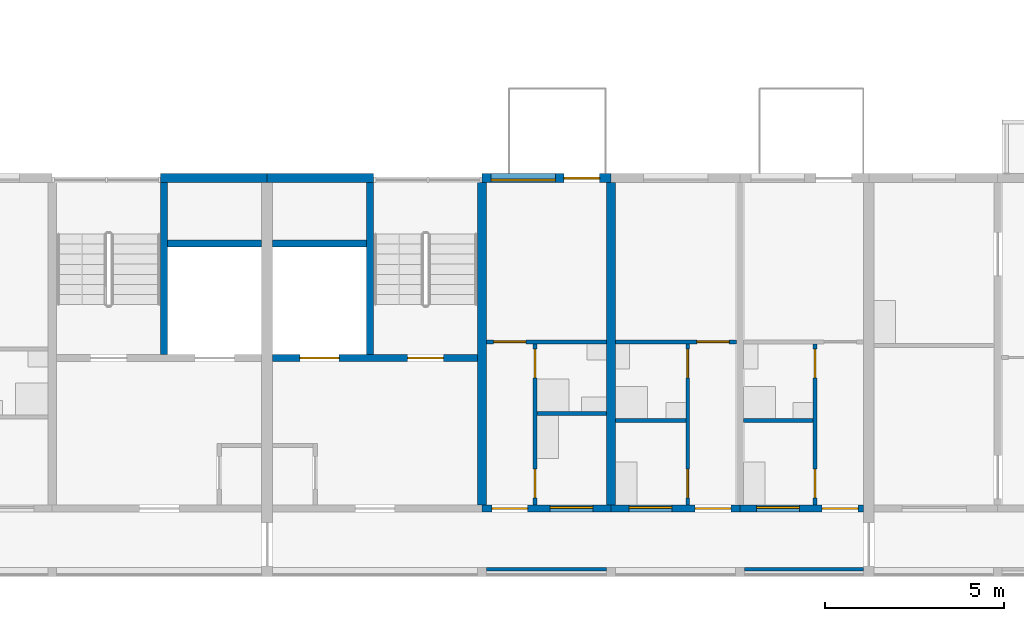
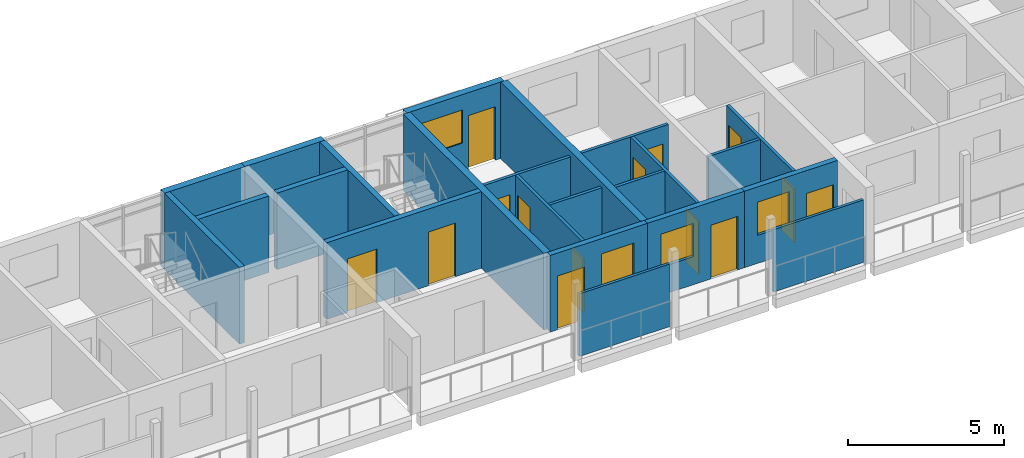
# One storey, part 45 of 99: 23 walls, 14 doors, 4 windows, 18 openings.
"""IFC4 building model written with IfcOpenShell, lengths in metres."""

from ifc_helpers import new_model, si_unit, direction, frame, frame_2d, origin, place, context, subcontext, project, spatial, rectangle, extrude, material, layer, layer_set, type_object, element, fill, save


model = new_model("IFC4")

# Units and contexts
model_context = context("Model", 3, precision=1e-05, world=origin(), true_north=direction((0.0, 1.0)))
body_context = subcontext(model_context, "Body", "Model", "MODEL_VIEW")
ifc_project = project(units=[si_unit("LENGTHUNIT", "METRE"), si_unit("AREAUNIT", "SQUARE_METRE"), si_unit("VOLUMEUNIT", "CUBIC_METRE"), si_unit("PLANEANGLEUNIT", "RADIAN"), si_unit("MASSUNIT", "GRAM", prefix="KILO")], contexts=[model_context])

# Site, building, storey
site_placement = place(None, origin())
site = spatial("IfcSite", under=ifc_project, at=site_placement, CompositionType="ELEMENT")
building_placement = place(site_placement, origin())
building = spatial("IfcBuilding", under=site, at=building_placement, Name="Ridgestep Commons", CompositionType="ELEMENT")
storey_placement = place(building_placement, frame((0.0, 0.0, 15.0)))
storey = spatial("IfcBuildingStorey", under=building, at=storey_placement, Name="L05", CompositionType="ELEMENT", Elevation=15.0)

# Walls
ifc_material_1 = material(Name="Concrete C30/37", Category="concrete")
ifc_layer_1 = layer(ifc_material_1, 0.25)
ifc_layer_set_1 = layer_set([ifc_layer_1], Name="Core cross wall 250")
wall_type_1 = type_object("IfcWallType", Name="Core cross wall 250", PredefinedType="SHEAR", material=ifc_layer_set_1)
wall_1_placement = place(storey_placement, frame((169.60009765625, 13.75, 0.0), z_axis=(0.0, 0.0, 1.0), x_axis=(0.0, 1.0, 0.0)))
element("IfcWall", 1, at=wall_1_placement, inside=storey, type_object=wall_type_1, Name="Cross wall D-05-1696", PredefinedType="SHEAR", context=body_context, shape_type="SweptSolid", body=[
    extrude(rectangle(XDim=9.0, YDim=0.25, at=frame_2d((4.5, 0.0))), origin(), (0.0, 0.0, 1.0), 3.0),
])
ifc_material_2 = material(Name="Concrete C30/37", Category="concrete")
ifc_layer_2 = layer(ifc_material_2, 0.199951171875)
ifc_layer_set_2 = layer_set([ifc_layer_2], Name="Core wall 200")
wall_type_2 = type_object("IfcWallType", Name="Core wall 200", PredefinedType="SHEAR", material=ifc_layer_set_2)
wall_2_placement = place(storey_placement, frame((160.72509765625, 17.949951171875, 0.0), z_axis=(0.0, 0.0, 1.0), x_axis=(0.0, 1.0, 0.0)))
element("IfcWall", 2, at=wall_2_placement, inside=storey, type_object=wall_type_2, Name="Core stair wall D1C L05", PredefinedType="SHEAR", context=body_context, shape_type="SweptSolid", body=[
    extrude(rectangle(XDim=4.800048828125, YDim=0.199951171875, at=frame_2d((2.39990234375, 0.0))), origin(), (0.0, 0.0, 1.0), 3.0),
])
wall_3_placement = place(storey_placement, frame((160.824951171875, 21.050048828125, 0.0), z_axis=(0.0, 0.0, 1.0), x_axis=(1.0, 0.0, 0.0)))
element("IfcWall", 3, at=wall_3_placement, inside=storey, type_object=wall_type_2, Name="Core duct wall D1C L05", PredefinedType="SHEAR", context=body_context, shape_type="SweptSolid", body=[
    extrude(rectangle(XDim=2.625, YDim=0.199951171875, at=frame_2d((1.3125, 0.0))), origin(), (0.0, 0.0, 1.0), 3.0),
])

# Wall, openings, doors
wall_4_placement = place(storey_placement, frame((163.75, 17.85009765625, 0.0), z_axis=(0.0, 0.0, 1.0), x_axis=(1.0, 0.0, 0.0)))
wall_4 = element("IfcWall", 4, at=wall_4_placement, inside=storey, type_object=wall_type_2, Name="Core lobby wall D2C L05", PredefinedType="SHEAR", context=body_context, shape_type="SweptSolid", body=[
    extrude(rectangle(XDim=5.72509765625, YDim=0.199951171875, at=frame_2d((2.862548828125, 0.0))), origin(), (0.0, 0.0, 1.0), 3.0),
])
opening_1_placement = place(wall_4_placement, frame((3.77490234375, 0.0, 0.0)))
opening_1 = element("IfcOpeningElement", 5, at=opening_1_placement, cuts=wall_4, Name="Opening D2C/05/2", PredefinedType="OPENING", context=body_context, shape_type="SweptSolid", body=[
    extrude(rectangle(XDim=1.0, YDim=2.10009765625, at=frame_2d((0.5, 1.050048828125))), frame((0.0, 0.10986328125, 0.0), z_axis=(0.0, -1.0, 0.0), x_axis=(1.0, 0.0, 0.0)), (0.0, 0.0, 1.0), 0.219970703125),
])
opening_2_placement = place(wall_4_placement, frame((0.762451171875, 0.0, 0.0)))
opening_2 = element("IfcOpeningElement", 6, at=opening_2_placement, cuts=wall_4, Name="Opening D2C/05/3", PredefinedType="OPENING", context=body_context, shape_type="SweptSolid", body=[
    extrude(rectangle(XDim=1.10009765625, YDim=2.10009765625, at=frame_2d((0.550048828125, 1.050048828125))), frame((0.0, 0.10986328125, 0.0), z_axis=(0.0, -1.0, 0.0), x_axis=(1.0, 0.0, 0.0)), (0.0, 0.0, 1.0), 0.219970703125),
])
ifc_material_3 = material(Name="Stainless steel", Category="steel")
door_type_1 = type_object("IfcDoorType", Name="Lift landing door 1100 x 2100 FD60", OperationType="DOUBLE_DOOR_SLIDING", PredefinedType="DOOR", material=ifc_material_3)
door_1_placement = place(opening_2_placement, origin())
door_1 = element("IfcDoor", 7, at=door_1_placement, inside=storey, type_object=door_type_1, Name="Landing door LD D2C L05", OperationType="DOUBLE_DOOR_SLIDING", OverallHeight=2.10009765625, OverallWidth=1.10009765625, PredefinedType="DOOR", context=body_context, shape_type="SweptSolid", body=[
    extrude(rectangle(XDim=1.10009765625, YDim=2.10009765625, at=frame_2d((0.550048828125, 1.050048828125))), frame((0.0, 0.02490234375, 0.0), z_axis=(0.0, -1.0, 0.0), x_axis=(1.0, 0.0, 0.0)), (0.0, 0.0, 1.0), 0.050048828125),
])
fill(opening_2, door_1)
ifc_material_4 = material(Name="Steel fire door", Category="steel")
door_type_2 = type_object("IfcDoorType", Name="Stair door 1000 x 2100 FD60", OperationType="NOTDEFINED", PredefinedType="DOOR", material=ifc_material_4)
door_2_placement = place(opening_1_placement, origin())
door_2 = element("IfcDoor", 8, at=door_2_placement, inside=storey, type_object=door_type_2, Name="Stair door D2C/05/2", OperationType="SINGLE_SWING_RIGHT", OverallHeight=2.10009765625, OverallWidth=1.0, PredefinedType="DOOR", context=body_context, shape_type="SweptSolid", body=[
    extrude(rectangle(XDim=1.0, YDim=2.10009765625, at=frame_2d((0.5, 1.050048828125))), frame((0.0, 0.02490234375, 0.0), z_axis=(0.0, -1.0, 0.0), x_axis=(1.0, 0.0, 0.0)), (0.0, 0.0, 1.0), 0.050048828125),
])
fill(opening_1, door_2)

# Walls
wall_5_placement = place(storey_placement, frame((166.47509765625, 17.949951171875, 0.0), z_axis=(0.0, 0.0, 1.0), x_axis=(0.0, 1.0, 0.0)))
element("IfcWall", 9, at=wall_5_placement, inside=storey, type_object=wall_type_2, Name="Core stair wall D2C L05", PredefinedType="SHEAR", context=body_context, shape_type="SweptSolid", body=[
    extrude(rectangle(XDim=4.800048828125, YDim=0.199951171875, at=frame_2d((2.39990234375, 0.0))), origin(), (0.0, 0.0, 1.0), 3.0),
])
wall_6_placement = place(storey_placement, frame((163.75, 21.050048828125, 0.0), z_axis=(0.0, 0.0, 1.0), x_axis=(1.0, 0.0, 0.0)))
element("IfcWall", 10, at=wall_6_placement, inside=storey, type_object=wall_type_2, Name="Core duct wall D2C L05", PredefinedType="SHEAR", context=body_context, shape_type="SweptSolid", body=[
    extrude(rectangle(XDim=2.625, YDim=0.199951171875, at=frame_2d((1.3125, 0.0))), origin(), (0.0, 0.0, 1.0), 3.0),
])
ifc_material_5 = material(Name="Precast concrete C40/50", Category="concrete")
ifc_layer_3 = layer(ifc_material_5, 0.25)
ifc_layer_set_3 = layer_set([ifc_layer_3], Name="Cross wall 250")
wall_type_3 = type_object("IfcWallType", Name="Cross wall 250", PredefinedType="SHEAR", material=ifc_layer_set_3)
wall_7_placement = place(storey_placement, frame((173.199951171875, 13.75, 0.0), z_axis=(0.0, 0.0, 1.0), x_axis=(0.0, 1.0, 0.0)))
element("IfcWall", 11, at=wall_7_placement, inside=storey, type_object=wall_type_3, Name="Cross wall D-05-1732", PredefinedType="SHEAR", context=body_context, shape_type="SweptSolid", body=[
    extrude(rectangle(XDim=9.0, YDim=0.25, at=frame_2d((4.5, 0.0))), origin(), (0.0, 0.0, 1.0), 3.0),
])
ifc_material_6 = material(Name="Precast concrete C40/50", Category="concrete")
ifc_layer_4 = layer(ifc_material_6, 0.25)
ifc_layer_set_4 = layer_set([ifc_layer_4], Name="North facade panel 250")
wall_type_4 = type_object("IfcWallType", Name="North facade panel 250", PredefinedType="SOLIDWALL", material=ifc_layer_set_4)
wall_8_placement = place(storey_placement, frame((160.625, 22.875, 0.0), z_axis=(0.0, 0.0, 1.0), x_axis=(1.0, 0.0, 0.0)))
element("IfcWall", 12, at=wall_8_placement, inside=storey, type_object=wall_type_4, Name="North panel D1C L05", PredefinedType="SOLIDWALL", context=body_context, shape_type="SweptSolid", body=[
    extrude(rectangle(XDim=2.97509765625, YDim=0.25, at=frame_2d((1.487548828125, 0.0))), origin(), (0.0, 0.0, 1.0), 3.0),
])
wall_9_placement = place(storey_placement, frame((163.60009765625, 22.875, 0.0), z_axis=(0.0, 0.0, 1.0), x_axis=(1.0, 0.0, 0.0)))
element("IfcWall", 13, at=wall_9_placement, inside=storey, type_object=wall_type_4, Name="North panel D2C L05", PredefinedType="SOLIDWALL", context=body_context, shape_type="SweptSolid", body=[
    extrude(rectangle(XDim=2.974853515625, YDim=0.25, at=frame_2d((1.4873046875, 0.0))), origin(), (0.0, 0.0, 1.0), 3.0),
])

# Wall, openings, door, window
wall_10_placement = place(storey_placement, frame((169.60009765625, 22.875, 0.0), z_axis=(0.0, 0.0, 1.0), x_axis=(1.0, 0.0, 0.0)))
wall_10 = element("IfcWall", 14, at=wall_10_placement, inside=storey, type_object=wall_type_4, Name="North panel D2T3 L05", PredefinedType="SOLIDWALL", context=body_context, shape_type="SweptSolid", body=[
    extrude(rectangle(XDim=3.599853515625, YDim=0.25, at=frame_2d((1.7998046875, 0.0))), origin(), (0.0, 0.0, 1.0), 3.0),
])
opening_3_placement = place(wall_10_placement, frame((0.255615234375, 0.0, 1.10009765625)))
opening_3 = element("IfcOpeningElement", 15, at=opening_3_placement, cuts=wall_10, Name="Opening W18", PredefinedType="OPENING", context=body_context, shape_type="SweptSolid", body=[
    extrude(rectangle(XDim=1.800048828125, YDim=1.300048828125, at=frame_2d((0.89990234375, 0.64990234375))), frame((0.0, 0.135009765625, 0.0), z_axis=(0.0, -1.0, 0.0), x_axis=(1.0, 0.0, 0.0)), (0.0, 0.0, 1.0), 0.27001953125),
])
opening_4_placement = place(wall_10_placement, frame((2.285888671875, 0.0, 0.0)))
opening_4 = element("IfcOpeningElement", 16, at=opening_4_placement, cuts=wall_10, Name="Opening D2-05c/5", PredefinedType="OPENING", context=body_context, shape_type="SweptSolid", body=[
    extrude(rectangle(XDim=1.0, YDim=2.10009765625, at=frame_2d((0.5, 1.050048828125))), frame((0.0, 0.135009765625, 0.0), z_axis=(0.0, -1.0, 0.0), x_axis=(1.0, 0.0, 0.0)), (0.0, 0.0, 1.0), 0.27001953125),
])
ifc_material_7 = material(Name="Aluminium and glass", Category="aluminium")
door_type_3 = type_object("IfcDoorType", Name="Balcony door 1000 x 2100", OperationType="NOTDEFINED", PredefinedType="DOOR", material=ifc_material_7)
door_3_placement = place(opening_4_placement, origin())
door_3 = element("IfcDoor", 17, at=door_3_placement, inside=storey, type_object=door_type_3, Name="Balcony door D2-05c/5", OperationType="SINGLE_SWING_LEFT", OverallHeight=2.10009765625, OverallWidth=1.0, PredefinedType="DOOR", context=body_context, shape_type="SweptSolid", body=[
    extrude(rectangle(XDim=1.0, YDim=2.10009765625, at=frame_2d((0.5, 1.050048828125))), frame((0.0, 0.02490234375, 0.0), z_axis=(0.0, -1.0, 0.0), x_axis=(1.0, 0.0, 0.0)), (0.0, 0.0, 1.0), 0.050048828125),
])
fill(opening_4, door_3)
ifc_material_8 = material(Name="Aluminium 6063-T6 and glass", Category="aluminium")
window_type_1 = type_object("IfcWindowType", Name="Flat window 1800 x 1300", PartitioningType="DOUBLE_PANEL_VERTICAL", PredefinedType="WINDOW", material=ifc_material_8)
window_1_placement = place(opening_3_placement, origin())
window_1 = element("IfcWindow", 18, at=window_1_placement, inside=storey, type_object=window_type_1, Name="Window D2-05c 2", OverallHeight=1.300048828125, OverallWidth=1.800048828125, PartitioningType="SINGLE_PANEL", PredefinedType="WINDOW", context=body_context, shape_type="SweptSolid", body=[
    extrude(rectangle(XDim=1.800048828125, YDim=1.300048828125, at=frame_2d((0.89990234375, 0.64990234375))), frame((0.0, -0.02490234375, 0.0), z_axis=(0.0, -1.0, 0.0), x_axis=(1.0, 0.0, 0.0)), (0.0, 0.0, 1.0), 0.06005859375),
])
fill(opening_3, window_1)

# Wall
ifc_material_9 = material(Name="Common brick 110 mm", Category="masonry")
ifc_layer_5 = layer(ifc_material_9, 0.110107421875)
ifc_layer_set_5 = layer_set([ifc_layer_5], Name="Partition 110")
wall_type_5 = type_object("IfcWallType", Name="Partition 110", PredefinedType="PARTITIONING", material=ifc_layer_set_5)
wall_11_placement = place(storey_placement, frame((176.89990234375, 16.10498046875, 0.0), z_axis=(0.0, 0.0, 1.0), x_axis=(1.0, 0.0, 0.0)))
element("IfcWall", 19, at=wall_11_placement, inside=storey, type_object=wall_type_5, Name="Partition D2-05a", PredefinedType="PARTITIONING", context=body_context, shape_type="SweptSolid", body=[
    extrude(rectangle(XDim=1.940185546875, YDim=0.110107421875, at=frame_2d((0.97021484375, 0.0))), origin(), (0.0, 0.0, 1.0), 2.800048828125),
])

# Wall, openings, doors
wall_12_placement = place(storey_placement, frame((178.89501953125, 13.75, 0.0), z_axis=(0.0, 0.0, 1.0), x_axis=(0.0, 1.0, 0.0)))
wall_12 = element("IfcWall", 20, at=wall_12_placement, inside=storey, type_object=wall_type_5, Name="Partition D2-05a", PredefinedType="PARTITIONING", context=body_context, shape_type="SweptSolid", body=[
    extrude(rectangle(XDim=4.5, YDim=0.110107421875, at=frame_2d((2.25, 0.0))), origin(), (0.0, 0.0, 1.0), 2.800048828125),
])
opening_5_placement = place(wall_12_placement, frame((0.199951171875, 0.0, 0.0)))
opening_5 = element("IfcOpeningElement", 21, at=opening_5_placement, cuts=wall_12, Name="Opening D2-05a/2", PredefinedType="OPENING", context=body_context, shape_type="SweptSolid", body=[
    extrude(rectangle(XDim=0.800048828125, YDim=2.10009765625, at=frame_2d((0.39990234375, 1.050048828125))), frame((0.0, 0.06494140625, 0.0), z_axis=(0.0, -1.0, 0.0), x_axis=(1.0, 0.0, 0.0)), (0.0, 0.0, 1.0), 0.130126953125),
])
opening_6_placement = place(wall_12_placement, frame((3.550048828125, 0.0, 0.0)))
opening_6 = element("IfcOpeningElement", 22, at=opening_6_placement, cuts=wall_12, Name="Opening D2-05a/3", PredefinedType="OPENING", context=body_context, shape_type="SweptSolid", body=[
    extrude(rectangle(XDim=0.800048828125, YDim=2.10009765625, at=frame_2d((0.39990234375, 1.050048828125))), frame((0.0, 0.06494140625, 0.0), z_axis=(0.0, -1.0, 0.0), x_axis=(1.0, 0.0, 0.0)), (0.0, 0.0, 1.0), 0.130126953125),
])
ifc_material_10 = material(Name="Timber door leaf", Category="wood")
door_type_4 = type_object("IfcDoorType", Name="Internal door 800 x 2100", OperationType="NOTDEFINED", PredefinedType="DOOR", material=ifc_material_10)
door_4_placement = place(opening_5_placement, origin())
door_4 = element("IfcDoor", 23, at=door_4_placement, inside=storey, type_object=door_type_4, Name="Internal door D2-05a/2", OperationType="SINGLE_SWING_LEFT", OverallHeight=2.10009765625, OverallWidth=0.800048828125, PredefinedType="DOOR", context=body_context, shape_type="SweptSolid", body=[
    extrude(rectangle(XDim=0.800048828125, YDim=2.10009765625, at=frame_2d((0.39990234375, 1.050048828125))), frame((0.0, 0.02490234375, 0.0), z_axis=(0.0, -1.0, 0.0), x_axis=(1.0, 0.0, 0.0)), (0.0, 0.0, 1.0), 0.050048828125),
])
fill(opening_5, door_4)
door_5_placement = place(opening_6_placement, origin())
door_5 = element("IfcDoor", 24, at=door_5_placement, inside=storey, type_object=door_type_4, Name="Internal door D2-05a/3", OperationType="SINGLE_SWING_RIGHT", OverallHeight=2.10009765625, OverallWidth=0.800048828125, PredefinedType="DOOR", context=body_context, shape_type="SweptSolid", body=[
    extrude(rectangle(XDim=0.800048828125, YDim=2.10009765625, at=frame_2d((0.39990234375, 1.050048828125))), frame((0.0, 0.02490234375, 0.0), z_axis=(0.0, -1.0, 0.0), x_axis=(1.0, 0.0, 0.0)), (0.0, 0.0, 1.0), 0.050048828125),
])
fill(opening_6, door_5)

# Wall
wall_13_placement = place(storey_placement, frame((173.324951171875, 16.10498046875, 0.0), z_axis=(0.0, 0.0, 1.0), x_axis=(1.0, 0.0, 0.0)))
element("IfcWall", 25, at=wall_13_placement, inside=storey, type_object=wall_type_5, Name="Partition D2-05b", PredefinedType="PARTITIONING", context=body_context, shape_type="SweptSolid", body=[
    extrude(rectangle(XDim=1.965087890625, YDim=0.110107421875, at=frame_2d((0.982421875, 0.0))), origin(), (0.0, 0.0, 1.0), 2.800048828125),
])

# Wall, openings, doors
wall_14_placement = place(storey_placement, frame((175.344970703125, 13.75, 0.0), z_axis=(0.0, 0.0, 1.0), x_axis=(0.0, 1.0, 0.0)))
wall_14 = element("IfcWall", 26, at=wall_14_placement, inside=storey, type_object=wall_type_5, Name="Partition D2-05b", PredefinedType="PARTITIONING", context=body_context, shape_type="SweptSolid", body=[
    extrude(rectangle(XDim=4.5, YDim=0.110107421875, at=frame_2d((2.25, 0.0))), origin(), (0.0, 0.0, 1.0), 2.800048828125),
])
opening_7_placement = place(wall_14_placement, frame((0.199951171875, 0.0, 0.0)))
opening_7 = element("IfcOpeningElement", 27, at=opening_7_placement, cuts=wall_14, Name="Opening D2-05b/2", PredefinedType="OPENING", context=body_context, shape_type="SweptSolid", body=[
    extrude(rectangle(XDim=0.800048828125, YDim=2.10009765625, at=frame_2d((0.39990234375, 1.050048828125))), frame((0.0, 0.06494140625, 0.0), z_axis=(0.0, -1.0, 0.0), x_axis=(1.0, 0.0, 0.0)), (0.0, 0.0, 1.0), 0.130126953125),
])
opening_8_placement = place(wall_14_placement, frame((3.550048828125, 0.0, 0.0)))
opening_8 = element("IfcOpeningElement", 28, at=opening_8_placement, cuts=wall_14, Name="Opening D2-05b/3", PredefinedType="OPENING", context=body_context, shape_type="SweptSolid", body=[
    extrude(rectangle(XDim=0.800048828125, YDim=2.10009765625, at=frame_2d((0.39990234375, 1.050048828125))), frame((0.0, 0.06494140625, 0.0), z_axis=(0.0, -1.0, 0.0), x_axis=(1.0, 0.0, 0.0)), (0.0, 0.0, 1.0), 0.130126953125),
])
door_6_placement = place(opening_7_placement, origin())
door_6 = element("IfcDoor", 29, at=door_6_placement, inside=storey, type_object=door_type_4, Name="Internal door D2-05b/2", OperationType="SINGLE_SWING_LEFT", OverallHeight=2.10009765625, OverallWidth=0.800048828125, PredefinedType="DOOR", context=body_context, shape_type="SweptSolid", body=[
    extrude(rectangle(XDim=0.800048828125, YDim=2.10009765625, at=frame_2d((0.39990234375, 1.050048828125))), frame((0.0, 0.02490234375, 0.0), z_axis=(0.0, -1.0, 0.0), x_axis=(1.0, 0.0, 0.0)), (0.0, 0.0, 1.0), 0.050048828125),
])
fill(opening_7, door_6)
door_7_placement = place(opening_8_placement, origin())
door_7 = element("IfcDoor", 30, at=door_7_placement, inside=storey, type_object=door_type_4, Name="Internal door D2-05b/3", OperationType="SINGLE_SWING_RIGHT", OverallHeight=2.10009765625, OverallWidth=0.800048828125, PredefinedType="DOOR", context=body_context, shape_type="SweptSolid", body=[
    extrude(rectangle(XDim=0.800048828125, YDim=2.10009765625, at=frame_2d((0.39990234375, 1.050048828125))), frame((0.0, 0.02490234375, 0.0), z_axis=(0.0, -1.0, 0.0), x_axis=(1.0, 0.0, 0.0)), (0.0, 0.0, 1.0), 0.050048828125),
])
fill(opening_8, door_7)

# Wall, opening, door
wall_15_placement = place(storey_placement, frame((173.324951171875, 18.304931640625, 0.0), z_axis=(0.0, 0.0, 1.0), x_axis=(1.0, 0.0, 0.0)))
wall_15 = element("IfcWall", 31, at=wall_15_placement, inside=storey, type_object=wall_type_5, Name="Partition D2-05b", PredefinedType="PARTITIONING", context=body_context, shape_type="SweptSolid", body=[
    extrude(rectangle(XDim=3.375, YDim=0.110107421875, at=frame_2d((1.6875, 0.0))), origin(), (0.0, 0.0, 1.0), 2.800048828125),
])
opening_9_placement = place(wall_15_placement, frame((2.27490234375, 0.0, 0.0)))
opening_9 = element("IfcOpeningElement", 32, at=opening_9_placement, cuts=wall_15, Name="Opening D2-05b/4", PredefinedType="OPENING", context=body_context, shape_type="SweptSolid", body=[
    extrude(rectangle(XDim=0.89990234375, YDim=2.10009765625, at=frame_2d((0.449951171875, 1.050048828125))), frame((0.0, 0.06494140625, 0.0), z_axis=(0.0, -1.0, 0.0), x_axis=(1.0, 0.0, 0.0)), (0.0, 0.0, 1.0), 0.130126953125),
])
ifc_material_11 = material(Name="Timber door leaf", Category="wood")
door_type_5 = type_object("IfcDoorType", Name="Internal door 900 x 2100", OperationType="NOTDEFINED", PredefinedType="DOOR", material=ifc_material_11)
door_8_placement = place(opening_9_placement, origin())
door_8 = element("IfcDoor", 33, at=door_8_placement, inside=storey, type_object=door_type_5, Name="Internal door D2-05b/4", OperationType="SINGLE_SWING_LEFT", OverallHeight=2.10009765625, OverallWidth=0.89990234375, PredefinedType="DOOR", context=body_context, shape_type="SweptSolid", body=[
    extrude(rectangle(XDim=0.89990234375, YDim=2.10009765625, at=frame_2d((0.449951171875, 1.050048828125))), frame((0.0, 0.02490234375, 0.0), z_axis=(0.0, -1.0, 0.0), x_axis=(1.0, 0.0, 0.0)), (0.0, 0.0, 1.0), 0.050048828125),
])
fill(opening_9, door_8)

# Wall, openings, doors
wall_16_placement = place(storey_placement, frame((171.080078125, 13.75, 0.0), z_axis=(0.0, 0.0, 1.0), x_axis=(0.0, 1.0, 0.0)))
wall_16 = element("IfcWall", 34, at=wall_16_placement, inside=storey, type_object=wall_type_5, Name="Partition D2-05c", PredefinedType="PARTITIONING", context=body_context, shape_type="SweptSolid", body=[
    extrude(rectangle(XDim=4.5, YDim=0.110107421875, at=frame_2d((2.25, 0.0))), origin(), (0.0, 0.0, 1.0), 2.800048828125),
])
opening_10_placement = place(wall_16_placement, frame((0.199951171875, 0.0, 0.0)))
opening_10 = element("IfcOpeningElement", 35, at=opening_10_placement, cuts=wall_16, Name="Opening D2-05c/2", PredefinedType="OPENING", context=body_context, shape_type="SweptSolid", body=[
    extrude(rectangle(XDim=0.800048828125, YDim=2.10009765625, at=frame_2d((0.39990234375, 1.050048828125))), frame((0.0, 0.06494140625, 0.0), z_axis=(0.0, -1.0, 0.0), x_axis=(1.0, 0.0, 0.0)), (0.0, 0.0, 1.0), 0.130126953125),
])
opening_11_placement = place(wall_16_placement, frame((3.550048828125, 0.0, 0.0)))
opening_11 = element("IfcOpeningElement", 36, at=opening_11_placement, cuts=wall_16, Name="Opening D2-05c/3", PredefinedType="OPENING", context=body_context, shape_type="SweptSolid", body=[
    extrude(rectangle(XDim=0.800048828125, YDim=2.10009765625, at=frame_2d((0.39990234375, 1.050048828125))), frame((0.0, 0.06494140625, 0.0), z_axis=(0.0, -1.0, 0.0), x_axis=(1.0, 0.0, 0.0)), (0.0, 0.0, 1.0), 0.130126953125),
])
door_9_placement = place(opening_10_placement, origin())
door_9 = element("IfcDoor", 37, at=door_9_placement, inside=storey, type_object=door_type_4, Name="Internal door D2-05c/2", OperationType="SINGLE_SWING_RIGHT", OverallHeight=2.10009765625, OverallWidth=0.800048828125, PredefinedType="DOOR", context=body_context, shape_type="SweptSolid", body=[
    extrude(rectangle(XDim=0.800048828125, YDim=2.10009765625, at=frame_2d((0.39990234375, 1.050048828125))), frame((0.0, 0.02490234375, 0.0), z_axis=(0.0, -1.0, 0.0), x_axis=(1.0, 0.0, 0.0)), (0.0, 0.0, 1.0), 0.050048828125),
])
fill(opening_10, door_9)
door_10_placement = place(opening_11_placement, origin())
door_10 = element("IfcDoor", 38, at=door_10_placement, inside=storey, type_object=door_type_4, Name="Internal door D2-05c/3", OperationType="SINGLE_SWING_LEFT", OverallHeight=2.10009765625, OverallWidth=0.800048828125, PredefinedType="DOOR", context=body_context, shape_type="SweptSolid", body=[
    extrude(rectangle(XDim=0.800048828125, YDim=2.10009765625, at=frame_2d((0.39990234375, 1.050048828125))), frame((0.0, 0.02490234375, 0.0), z_axis=(0.0, -1.0, 0.0), x_axis=(1.0, 0.0, 0.0)), (0.0, 0.0, 1.0), 0.050048828125),
])
fill(opening_11, door_10)

# Wall
wall_17_placement = place(storey_placement, frame((171.135009765625, 16.304931640625, 0.0), z_axis=(0.0, 0.0, 1.0), x_axis=(1.0, 0.0, 0.0)))
element("IfcWall", 39, at=wall_17_placement, inside=storey, type_object=wall_type_5, Name="Partition D2-05c", PredefinedType="PARTITIONING", context=body_context, shape_type="SweptSolid", body=[
    extrude(rectangle(XDim=1.93994140625, YDim=0.110107421875, at=frame_2d((0.969970703125, 0.0))), origin(), (0.0, 0.0, 1.0), 2.800048828125),
])

# Wall, opening, door
wall_18_placement = place(storey_placement, frame((169.72509765625, 18.304931640625, 0.0), z_axis=(0.0, 0.0, 1.0), x_axis=(1.0, 0.0, 0.0)))
wall_18 = element("IfcWall", 40, at=wall_18_placement, inside=storey, type_object=wall_type_5, Name="Partition D2-05c", PredefinedType="PARTITIONING", context=body_context, shape_type="SweptSolid", body=[
    extrude(rectangle(XDim=3.349853515625, YDim=0.110107421875, at=frame_2d((1.6748046875, 0.0))), origin(), (0.0, 0.0, 1.0), 2.800048828125),
])
opening_12_placement = place(wall_18_placement, frame((0.199951171875, 0.0, 0.0)))
opening_12 = element("IfcOpeningElement", 41, at=opening_12_placement, cuts=wall_18, Name="Opening D2-05c/4", PredefinedType="OPENING", context=body_context, shape_type="SweptSolid", body=[
    extrude(rectangle(XDim=0.89990234375, YDim=2.10009765625, at=frame_2d((0.449951171875, 1.050048828125))), frame((0.0, 0.06494140625, 0.0), z_axis=(0.0, -1.0, 0.0), x_axis=(1.0, 0.0, 0.0)), (0.0, 0.0, 1.0), 0.130126953125),
])
door_11_placement = place(opening_12_placement, origin())
door_11 = element("IfcDoor", 42, at=door_11_placement, inside=storey, type_object=door_type_5, Name="Internal door D2-05c/4", OperationType="SINGLE_SWING_LEFT", OverallHeight=2.10009765625, OverallWidth=0.89990234375, PredefinedType="DOOR", context=body_context, shape_type="SweptSolid", body=[
    extrude(rectangle(XDim=0.89990234375, YDim=2.10009765625, at=frame_2d((0.449951171875, 1.050048828125))), frame((0.0, 0.02490234375, 0.0), z_axis=(0.0, -1.0, 0.0), x_axis=(1.0, 0.0, 0.0)), (0.0, 0.0, 1.0), 0.050048828125),
])
fill(opening_12, door_11)

# Walls
ifc_material_12 = material(Name="Precast concrete C30/37", Category="concrete")
ifc_layer_6 = layer(ifc_material_12, 0.10009765625)
ifc_layer_set_6 = layer_set([ifc_layer_6], Name="Perforated gallery screen 3325 x 2450 x 100")
wall_type_6 = type_object("IfcWallType", Name="Perforated gallery screen 3325 x 2450 x 100", PredefinedType="SOLIDWALL", material=ifc_layer_set_6)
wall_19_placement = place(storey_placement, frame((176.925048828125, 11.949951171875, 0.0), z_axis=(0.0, 0.0, 1.0), x_axis=(1.0, 0.0, 0.0)))
element("IfcWall", 43, at=wall_19_placement, inside=storey, type_object=wall_type_6, Name="Gallery screen D2T1 05", PredefinedType="SOLIDWALL", context=body_context, shape_type="SweptSolid", body=[
    extrude(rectangle(XDim=3.324951171875, YDim=0.10009765625, at=frame_2d((1.66259765625, 0.0))), origin(), (0.0, 0.0, 1.0), 2.449951171875),
])
ifc_material_13 = material(Name="Precast concrete C30/37", Category="concrete")
ifc_layer_7 = layer(ifc_material_13, 0.10009765625)
ifc_layer_set_7 = layer_set([ifc_layer_7], Name="Perforated gallery screen 3350 x 2450 x 100")
wall_type_7 = type_object("IfcWallType", Name="Perforated gallery screen 3350 x 2450 x 100", PredefinedType="SOLIDWALL", material=ifc_layer_set_7)
wall_20_placement = place(storey_placement, frame((169.72509765625, 11.949951171875, 0.0), z_axis=(0.0, 0.0, 1.0), x_axis=(1.0, 0.0, 0.0)))
element("IfcWall", 44, at=wall_20_placement, inside=storey, type_object=wall_type_7, Name="Gallery screen D2T3 05", PredefinedType="SOLIDWALL", context=body_context, shape_type="SweptSolid", body=[
    extrude(rectangle(XDim=3.349853515625, YDim=0.10009765625, at=frame_2d((1.6748046875, 0.0))), origin(), (0.0, 0.0, 1.0), 2.449951171875),
])

# Wall, openings, door, window
ifc_material_14 = material(Name="Precast concrete C40/50", Category="concrete")
ifc_layer_8 = layer(ifc_material_14, 0.199951171875)
ifc_layer_set_8 = layer_set([ifc_layer_8], Name="South facade panel 200")
wall_type_8 = type_object("IfcWallType", Name="South facade panel 200", PredefinedType="SOLIDWALL", material=ifc_layer_set_8)
wall_21_placement = place(storey_placement, frame((169.60009765625, 13.64990234375, 0.0), z_axis=(0.0, 0.0, 1.0), x_axis=(1.0, 0.0, 0.0)))
wall_21 = element("IfcWall", 45, at=wall_21_placement, inside=storey, type_object=wall_type_8, Name="South panel D2T3 L05", PredefinedType="SOLIDWALL", context=body_context, shape_type="SweptSolid", body=[
    extrude(rectangle(XDim=3.599853515625, YDim=0.199951171875, at=frame_2d((1.7998046875, 0.0))), origin(), (0.0, 0.0, 1.0), 3.0),
])
opening_13_placement = place(wall_21_placement, frame((1.905029296875, 0.0, 1.10009765625)))
opening_13 = element("IfcOpeningElement", 46, at=opening_13_placement, cuts=wall_21, Name="Opening W08", PredefinedType="OPENING", context=body_context, shape_type="SweptSolid", body=[
    extrude(rectangle(XDim=1.199951171875, YDim=1.300048828125, at=frame_2d((0.60009765625, 0.64990234375))), frame((0.0, 0.10986328125, 0.0), z_axis=(0.0, -1.0, 0.0), x_axis=(1.0, 0.0, 0.0)), (0.0, 0.0, 1.0), 0.219970703125),
])
opening_14_placement = place(wall_21_placement, frame((0.27490234375, 0.0, 0.0)))
opening_14 = element("IfcOpeningElement", 47, at=opening_14_placement, cuts=wall_21, Name="Opening D2-05c/1", PredefinedType="OPENING", context=body_context, shape_type="SweptSolid", body=[
    extrude(rectangle(XDim=1.0, YDim=2.10009765625, at=frame_2d((0.5, 1.050048828125))), frame((0.0, 0.10986328125, 0.0), z_axis=(0.0, -1.0, 0.0), x_axis=(1.0, 0.0, 0.0)), (0.0, 0.0, 1.0), 0.219970703125),
])
ifc_material_15 = material(Name="Timber door leaf", Category="wood")
door_type_6 = type_object("IfcDoorType", Name="Flat entrance door 1000 x 2100 FD30S", OperationType="NOTDEFINED", PredefinedType="DOOR", material=ifc_material_15)
door_12_placement = place(opening_14_placement, origin())
door_12 = element("IfcDoor", 48, at=door_12_placement, inside=storey, type_object=door_type_6, Name="Flat entrance door D2-05c/1", OperationType="SINGLE_SWING_LEFT", OverallHeight=2.10009765625, OverallWidth=1.0, PredefinedType="DOOR", context=body_context, shape_type="SweptSolid", body=[
    extrude(rectangle(XDim=1.0, YDim=2.10009765625, at=frame_2d((0.5, 1.050048828125))), frame((0.0, 0.02490234375, 0.0), z_axis=(0.0, -1.0, 0.0), x_axis=(1.0, 0.0, 0.0)), (0.0, 0.0, 1.0), 0.050048828125),
])
fill(opening_14, door_12)
ifc_material_16 = material(Name="Aluminium 6063-T6 and glass", Category="aluminium")
window_type_2 = type_object("IfcWindowType", Name="Flat window 1200 x 1300", PartitioningType="SINGLE_PANEL", PredefinedType="WINDOW", material=ifc_material_16)
window_2_placement = place(opening_13_placement, origin())
window_2 = element("IfcWindow", 49, at=window_2_placement, inside=storey, type_object=window_type_2, Name="Window D2-05c 1", OverallHeight=1.300048828125, OverallWidth=1.199951171875, PartitioningType="SINGLE_PANEL", PredefinedType="WINDOW", context=body_context, shape_type="SweptSolid", body=[
    extrude(rectangle(XDim=1.199951171875, YDim=1.300048828125, at=frame_2d((0.60009765625, 0.64990234375))), frame((0.0, 0.06005859375, 0.0), z_axis=(0.0, -1.0, 0.0), x_axis=(1.0, 0.0, 0.0)), (0.0, 0.0, 1.0), 0.06005859375),
])
fill(opening_13, window_2)

wall_22_placement = place(storey_placement, frame((173.199951171875, 13.64990234375, 0.0), z_axis=(0.0, 0.0, 1.0), x_axis=(1.0, 0.0, 0.0)))
wall_22 = element("IfcWall", 50, at=wall_22_placement, inside=storey, type_object=wall_type_8, Name="South panel D2T2 L05", PredefinedType="SOLIDWALL", context=body_context, shape_type="SweptSolid", body=[
    extrude(rectangle(XDim=3.60009765625, YDim=0.199951171875, at=frame_2d((1.800048828125, 0.0))), origin(), (0.0, 0.0, 1.0), 3.0),
])
opening_15_placement = place(wall_22_placement, frame((0.507568359375, 0.0, 1.10009765625)))
opening_15 = element("IfcOpeningElement", 51, at=opening_15_placement, cuts=wall_22, Name="Opening W08", PredefinedType="OPENING", context=body_context, shape_type="SweptSolid", body=[
    extrude(rectangle(XDim=1.199951171875, YDim=1.300048828125, at=frame_2d((0.60009765625, 0.64990234375))), frame((0.0, 0.10986328125, 0.0), z_axis=(0.0, -1.0, 0.0), x_axis=(1.0, 0.0, 0.0)), (0.0, 0.0, 1.0), 0.219970703125),
])
opening_16_placement = place(wall_22_placement, frame((2.35009765625, 0.0, 0.0)))
opening_16 = element("IfcOpeningElement", 52, at=opening_16_placement, cuts=wall_22, Name="Opening D2-05b/1", PredefinedType="OPENING", context=body_context, shape_type="SweptSolid", body=[
    extrude(rectangle(XDim=1.0, YDim=2.10009765625, at=frame_2d((0.5, 1.050048828125))), frame((0.0, 0.10986328125, 0.0), z_axis=(0.0, -1.0, 0.0), x_axis=(1.0, 0.0, 0.0)), (0.0, 0.0, 1.0), 0.219970703125),
])
door_13_placement = place(opening_16_placement, origin())
door_13 = element("IfcDoor", 53, at=door_13_placement, inside=storey, type_object=door_type_6, Name="Flat entrance door D2-05b/1", OperationType="SINGLE_SWING_RIGHT", OverallHeight=2.10009765625, OverallWidth=1.0, PredefinedType="DOOR", context=body_context, shape_type="SweptSolid", body=[
    extrude(rectangle(XDim=1.0, YDim=2.10009765625, at=frame_2d((0.5, 1.050048828125))), frame((0.0, 0.02490234375, 0.0), z_axis=(0.0, -1.0, 0.0), x_axis=(1.0, 0.0, 0.0)), (0.0, 0.0, 1.0), 0.050048828125),
])
fill(opening_16, door_13)
window_3_placement = place(opening_15_placement, origin())
window_3 = element("IfcWindow", 54, at=window_3_placement, inside=storey, type_object=window_type_2, Name="Window D2-05b 1", OverallHeight=1.300048828125, OverallWidth=1.199951171875, PartitioningType="SINGLE_PANEL", PredefinedType="WINDOW", context=body_context, shape_type="SweptSolid", body=[
    extrude(rectangle(XDim=1.199951171875, YDim=1.300048828125, at=frame_2d((0.60009765625, 0.64990234375))), frame((0.0, 0.06005859375, 0.0), z_axis=(0.0, -1.0, 0.0), x_axis=(1.0, 0.0, 0.0)), (0.0, 0.0, 1.0), 0.06005859375),
])
fill(opening_15, window_3)

wall_23_placement = place(storey_placement, frame((176.800048828125, 13.64990234375, 0.0), z_axis=(0.0, 0.0, 1.0), x_axis=(1.0, 0.0, 0.0)))
wall_23 = element("IfcWall", 55, at=wall_23_placement, inside=storey, type_object=wall_type_8, Name="South panel D2T1 L05", PredefinedType="SOLIDWALL", context=body_context, shape_type="SweptSolid", body=[
    extrude(rectangle(XDim=3.449951171875, YDim=0.199951171875, at=frame_2d((1.72509765625, 0.0))), origin(), (0.0, 0.0, 1.0), 3.0),
])
opening_17_placement = place(wall_23_placement, frame((0.469970703125, 0.0, 1.10009765625)))
opening_17 = element("IfcOpeningElement", 56, at=opening_17_placement, cuts=wall_23, Name="Opening W08", PredefinedType="OPENING", context=body_context, shape_type="SweptSolid", body=[
    extrude(rectangle(XDim=1.199951171875, YDim=1.300048828125, at=frame_2d((0.60009765625, 0.64990234375))), frame((0.0, 0.10986328125, 0.0), z_axis=(0.0, -1.0, 0.0), x_axis=(1.0, 0.0, 0.0)), (0.0, 0.0, 1.0), 0.219970703125),
])
opening_18_placement = place(wall_23_placement, frame((2.300048828125, 0.0, 0.0)))
opening_18 = element("IfcOpeningElement", 57, at=opening_18_placement, cuts=wall_23, Name="Opening D2-05a/1", PredefinedType="OPENING", context=body_context, shape_type="SweptSolid", body=[
    extrude(rectangle(XDim=1.0, YDim=2.10009765625, at=frame_2d((0.5, 1.050048828125))), frame((0.0, 0.10986328125, 0.0), z_axis=(0.0, -1.0, 0.0), x_axis=(1.0, 0.0, 0.0)), (0.0, 0.0, 1.0), 0.219970703125),
])
door_14_placement = place(opening_18_placement, origin())
door_14 = element("IfcDoor", 58, at=door_14_placement, inside=storey, type_object=door_type_6, Name="Flat entrance door D2-05a/1", OperationType="SINGLE_SWING_RIGHT", OverallHeight=2.10009765625, OverallWidth=1.0, PredefinedType="DOOR", context=body_context, shape_type="SweptSolid", body=[
    extrude(rectangle(XDim=1.0, YDim=2.10009765625, at=frame_2d((0.5, 1.050048828125))), frame((0.0, 0.02490234375, 0.0), z_axis=(0.0, -1.0, 0.0), x_axis=(1.0, 0.0, 0.0)), (0.0, 0.0, 1.0), 0.050048828125),
])
fill(opening_18, door_14)
window_4_placement = place(opening_17_placement, origin())
window_4 = element("IfcWindow", 59, at=window_4_placement, inside=storey, type_object=window_type_2, Name="Window D2-05a 1", OverallHeight=1.300048828125, OverallWidth=1.199951171875, PartitioningType="SINGLE_PANEL", PredefinedType="WINDOW", context=body_context, shape_type="SweptSolid", body=[
    extrude(rectangle(XDim=1.199951171875, YDim=1.300048828125, at=frame_2d((0.60009765625, 0.64990234375))), frame((0.0, 0.06005859375, 0.0), z_axis=(0.0, -1.0, 0.0), x_axis=(1.0, 0.0, 0.0)), (0.0, 0.0, 1.0), 0.06005859375),
])
fill(opening_17, window_4)

save(model, "model.ifc")
